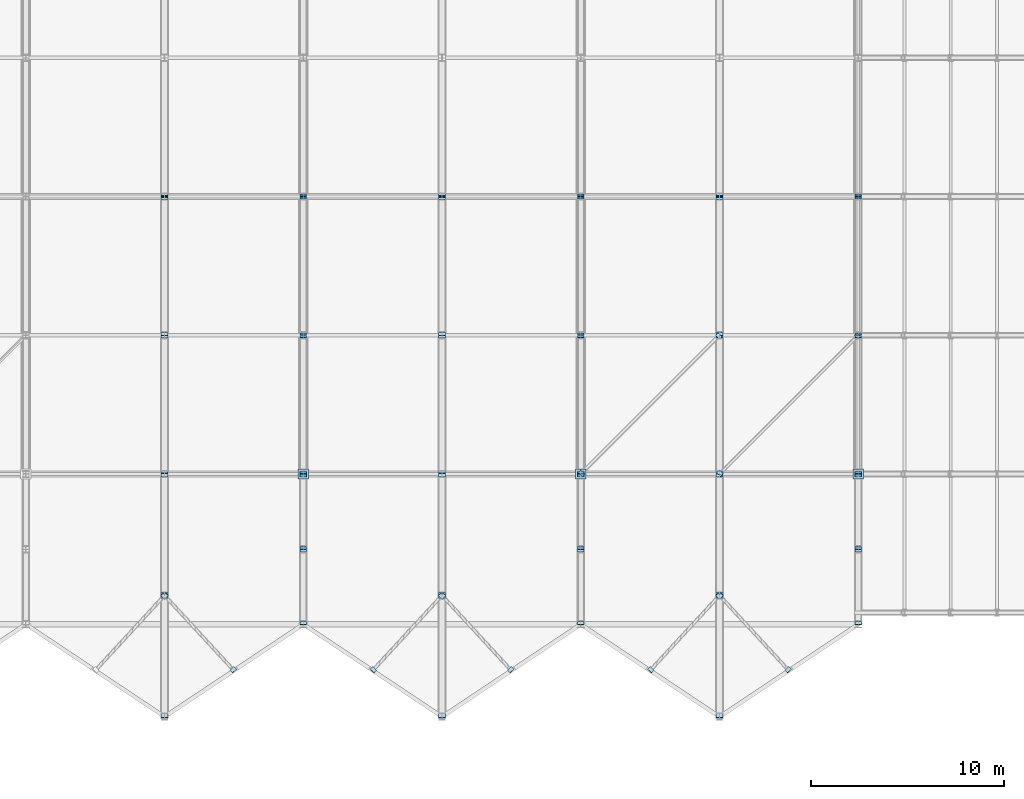
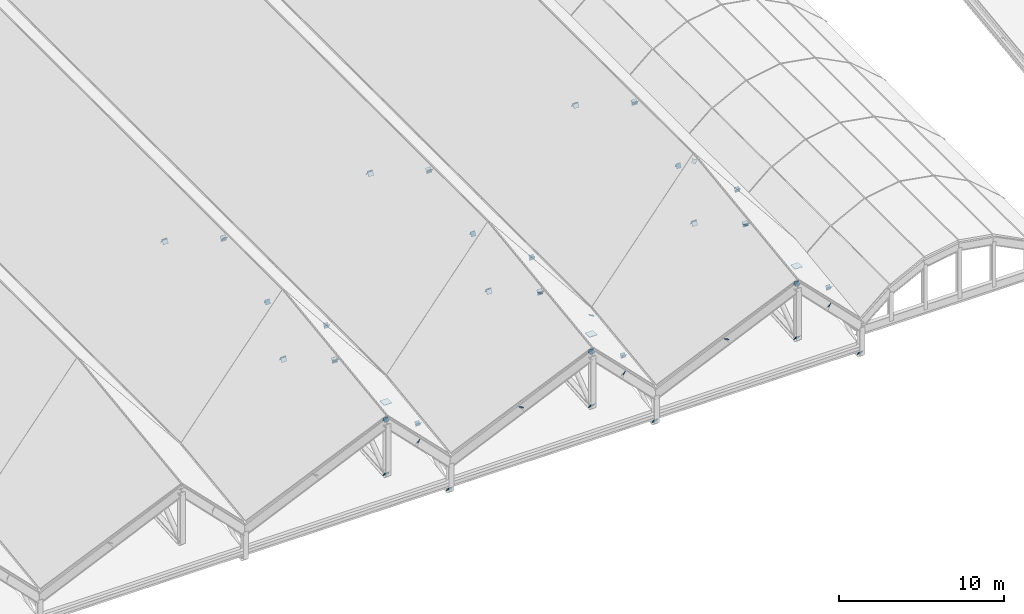
# One storey, part 48 of 60: 72 plates.
"""IFC4 building model written with IfcOpenShell, lengths in metres."""

from ifc_helpers import new_model, si_unit, direction, frame, origin, origin_2d, place, context, subcontext, project, spatial, rectangle, extrude, material, layer, layer_set, type_object, element, save


model = new_model("IFC4")

# Units and contexts
model_context = context("Model", 3, precision=1e-05, world=origin(), true_north=direction((0.0, 1.0)))
body_context = subcontext(model_context, "Body", "Model", "MODEL_VIEW")
ifc_project = project(units=[si_unit("LENGTHUNIT", "METRE"), si_unit("AREAUNIT", "SQUARE_METRE"), si_unit("VOLUMEUNIT", "CUBIC_METRE"), si_unit("PLANEANGLEUNIT", "RADIAN"), si_unit("MASSUNIT", "GRAM", prefix="KILO")], contexts=[model_context])

# Site, building, storey
site_placement = place(None, origin())
site = spatial("IfcSite", under=ifc_project, at=site_placement, CompositionType="ELEMENT")
building_placement = place(site_placement, origin())
building = spatial("IfcBuilding", under=site, at=building_placement, Name="Vesperath Aquatics Centre", CompositionType="ELEMENT")
storey_placement = place(building_placement, frame((0.0, 0.0, 27.60009765625)))
storey = spatial("IfcBuildingStorey", under=building, at=storey_placement, Name="RF", CompositionType="ELEMENT", Elevation=27.60009765625)

# Plates
ifc_material = material(Name="Steel Q355D", Category="steel")
ifc_layer_1 = layer(ifc_material, 0.02001953125)
ifc_layer_set_1 = layer_set([ifc_layer_1], Name="Steel Q355D")
plate_type_1 = type_object("IfcPlateType", Name="PT-TN01", PredefinedType="SHEET", material=ifc_layer_set_1)
for number, where, z_axis, x_axis, name in (
    (1, (64.800048828125, 1.84814453125, -6.288818359375), (0.0, 0.802493774826, 0.59666049087), (-1.0, 0.0, 0.0), "Truss Node Cap Plate TN01"),
    (2, (64.800048828125, 8.035888671875, -1.688232421875), (0.0, 0.802493774826, 0.59666049087), (-1.0, 0.0, 0.0), "Truss Node Cap Plate TN01"),
    (3, (64.800048828125, 8.151611328125, -1.67138671875), (0.0, 0.858729222984, -0.512429625991), (-1.0, 0.0, 0.0), "Truss Node Cap Plate TN01"),
    (4, (64.800048828125, 14.331298828125, -5.359130859375), (0.0, 0.858729222984, -0.512429625991), (-1.0, 0.0, 0.0), "Truss Node Cap Plate TN01"),
    (5, (64.800048828125, 14.450439453125, -5.36767578125), (0.0, 0.842696259913, 0.538389276944), (-1.0, 0.0, 0.0), "Truss Node Cap Plate TN01"),
    (6, (64.800048828125, 21.532470703125, -0.84326171875), (0.0, 0.842696259913, 0.538389276944), (-1.0, 0.0, 0.0), "Truss Node Cap Plate TN01"),
    (7, (64.800048828125, 21.650390625, -0.83251953125), (0.0, 0.842696259913, -0.538389276944), (-1.0, 0.0, 0.0), "Truss Node Cap Plate TN01"),
    (8, (64.800048828125, 28.732421875, -5.35693359375), (0.0, 0.842696259913, -0.538389276944), (-1.0, 0.0, 0.0), "Truss Node Cap Plate TN01"),
    (9, (64.800048828125, 28.850341796875, -5.36767578125), (0.0, 0.842696259913, 0.538389276944), (-1.0, 0.0, 0.0), "Truss Node Cap Plate TN01"),
    (10, (79.199951171875, 1.84814453125, -6.288818359375), (0.0, 0.802493774826, 0.59666049087), (-1.0, 0.0, 0.0), "Truss Node Cap Plate TN01"),
    (11, (79.199951171875, 8.035888671875, -1.688232421875), (0.0, 0.802493774826, 0.59666049087), (-1.0, 0.0, 0.0), "Truss Node Cap Plate TN01"),
    (12, (79.199951171875, 8.151611328125, -1.67138671875), (0.0, 0.858729222984, -0.512429625991), (-1.0, 0.0, 0.0), "Truss Node Cap Plate TN01"),
    (13, (79.199951171875, 14.331298828125, -5.359130859375), (0.0, 0.858729222984, -0.512429625991), (-1.0, 0.0, 0.0), "Truss Node Cap Plate TN01"),
    (14, (79.199951171875, 14.450439453125, -5.36767578125), (0.0, 0.842696259913, 0.538389276944), (-1.0, 0.0, 0.0), "Truss Node Cap Plate TN01"),
    (15, (79.199951171875, 21.532470703125, -0.84326171875), (0.0, 0.842696259913, 0.538389276944), (-1.0, 0.0, 0.0), "Truss Node Cap Plate TN01"),
    (16, (79.199951171875, 21.650390625, -0.83251953125), (0.0, 0.842696259913, -0.538389276944), (-1.0, 0.0, 0.0), "Truss Node Cap Plate TN01"),
    (17, (79.199951171875, 28.732421875, -5.35693359375), (0.0, 0.842696259913, -0.538389276944), (-1.0, 0.0, 0.0), "Truss Node Cap Plate TN01"),
    (18, (79.199951171875, 28.850341796875, -5.36767578125), (0.0, 0.842696259913, 0.538389276944), (-1.0, 0.0, 0.0), "Truss Node Cap Plate TN01"),
    (19, (93.60009765625, 1.84814453125, -6.288818359375), (0.0, 0.802493774826, 0.59666049087), (-1.0, 0.0, 0.0), "Truss Node Cap Plate TN01"),
    (20, (93.60009765625, 8.035888671875, -1.688232421875), (0.0, 0.802493774826, 0.59666049087), (-1.0, 0.0, 0.0), "Truss Node Cap Plate TN01"),
    (21, (93.60009765625, 8.151611328125, -1.67138671875), (0.0, 0.858729222984, -0.512429625991), (-1.0, 0.0, 0.0), "Truss Node Cap Plate TN01"),
    (22, (93.60009765625, 14.331298828125, -5.359130859375), (0.0, 0.858729222984, -0.512429625991), (-1.0, 0.0, 0.0), "Truss Node Cap Plate TN01"),
    (23, (93.60009765625, 14.450439453125, -5.36767578125), (0.0, 0.842696259913, 0.538389276944), (-1.0, 0.0, 0.0), "Truss Node Cap Plate TN01"),
    (24, (93.60009765625, 21.532470703125, -0.84326171875), (0.0, 0.842696259913, 0.538389276944), (-1.0, 0.0, 0.0), "Truss Node Cap Plate TN01"),
    (25, (93.60009765625, 21.650390625, -0.83251953125), (0.0, 0.842696259913, -0.538389276944), (-1.0, 0.0, 0.0), "Truss Node Cap Plate TN01"),
    (26, (93.60009765625, 28.732421875, -5.35693359375), (0.0, 0.842696259913, -0.538389276944), (-1.0, 0.0, 0.0), "Truss Node Cap Plate TN01"),
    (27, (93.60009765625, 28.850341796875, -5.36767578125), (0.0, 0.842696259913, 0.538389276944), (-1.0, 0.0, 0.0), "Truss Node Cap Plate TN01"),
):
    element("IfcPlate", number, at=place(storey_placement, frame(where, z_axis=z_axis, x_axis=x_axis)), inside=storey, type_object=plate_type_1, Name=name, PredefinedType="SHEET", context=body_context, shape_type="SweptSolid", body=[
        extrude(rectangle(XDim=0.360107421875, YDim=0.360107421875, at=origin_2d()), origin(), (0.0, 0.0, 1.0), 0.02001953125),
    ])
ifc_layer_2 = layer(ifc_material, 0.02001953125)
ifc_layer_set_2 = layer_set([ifc_layer_2], Name="Steel Q355D")
plate_type_2 = type_object("IfcPlateType", Name="PT-TN02", PredefinedType="SHEET", material=ifc_layer_set_2)
for number, where, z_axis, x_axis, name in (
    (28, (72.0, 6.650390625, -12.83544921875), (0.0, 0.837176029161, 0.546933539105), (-1.0, 0.0, 0.0), "Truss Node Cap Plate TN02"),
    (29, (72.0, 10.43310546875, -10.3642578125), (0.0, 0.837176029161, 0.546933539105), (-1.0, 0.0, 0.0), "Truss Node Cap Plate TN02"),
    (30, (72.0, 10.552978515625, -10.348876953125), (0.0, 0.882390516938, -0.470517773967), (-1.0, 0.0, 0.0), "Truss Node Cap Plate TN02"),
    (31, (72.0, 14.329345703125, -12.362548828125), (0.0, 0.882390516938, -0.470517773967), (-1.0, 0.0, 0.0), "Truss Node Cap Plate TN02"),
    (32, (72.0, 14.456298828125, -12.379638671875), (0.0, 0.940553899656, 0.339644463876), (-1.0, 0.0, 0.0), "Truss Node Cap Plate TN02"),
    (33, (72.0, 21.524658203125, -9.827392578125), (0.0, 0.940553899656, 0.339644463876), (-1.0, 0.0, 0.0), "Truss Node Cap Plate TN02"),
    (34, (72.0, 21.65625, -9.820556640625), (0.0, 0.940553899656, -0.339644463876), (-1.0, 0.0, 0.0), "Truss Node Cap Plate TN02"),
    (35, (72.0, 28.724609375, -12.372802734375), (0.0, 0.940553899656, -0.339644463876), (-1.0, 0.0, 0.0), "Truss Node Cap Plate TN02"),
    (36, (72.0, 28.856201171875, -12.379638671875), (0.0, 0.940553899656, 0.339644463876), (-1.0, 0.0, 0.0), "Truss Node Cap Plate TN02"),
    (37, (86.39990234375, 6.650390625, -12.83544921875), (0.0, 0.837176029161, 0.546933539105), (-1.0, 0.0, 0.0), "Truss Node Cap Plate TN02"),
    (38, (86.39990234375, 10.43310546875, -10.3642578125), (0.0, 0.837176029161, 0.546933539105), (-1.0, 0.0, 0.0), "Truss Node Cap Plate TN02"),
    (39, (86.39990234375, 10.552978515625, -10.348876953125), (0.0, 0.882390516938, -0.470517773967), (-1.0, 0.0, 0.0), "Truss Node Cap Plate TN02"),
    (40, (86.39990234375, 14.329345703125, -12.362548828125), (0.0, 0.882390516938, -0.470517773967), (-1.0, 0.0, 0.0), "Truss Node Cap Plate TN02"),
    (41, (86.39990234375, 14.456298828125, -12.379638671875), (0.0, 0.940553899656, 0.339644463876), (-1.0, 0.0, 0.0), "Truss Node Cap Plate TN02"),
    (42, (86.39990234375, 21.524658203125, -9.827392578125), (0.0, 0.940553899656, 0.339644463876), (-1.0, 0.0, 0.0), "Truss Node Cap Plate TN02"),
    (43, (86.39990234375, 21.65625, -9.820556640625), (0.0, 0.940553899656, -0.339644463876), (-1.0, 0.0, 0.0), "Truss Node Cap Plate TN02"),
    (44, (86.39990234375, 28.724609375, -12.372802734375), (0.0, 0.940553899656, -0.339644463876), (-1.0, 0.0, 0.0), "Truss Node Cap Plate TN02"),
    (45, (86.39990234375, 28.856201171875, -12.379638671875), (0.0, 0.940553899656, 0.339644463876), (-1.0, 0.0, 0.0), "Truss Node Cap Plate TN02"),
    (46, (100.800048828125, 6.650390625, -12.83544921875), (0.0, 0.837176029161, 0.546933539105), (-1.0, 0.0, 0.0), "Truss Node Cap Plate TN02"),
    (47, (100.800048828125, 10.43310546875, -10.3642578125), (0.0, 0.837176029161, 0.546933539105), (-1.0, 0.0, 0.0), "Truss Node Cap Plate TN02"),
    (48, (100.800048828125, 10.552978515625, -10.348876953125), (0.0, 0.882390516938, -0.470517773967), (-1.0, 0.0, 0.0), "Truss Node Cap Plate TN02"),
    (49, (100.800048828125, 14.329345703125, -12.362548828125), (0.0, 0.882390516938, -0.470517773967), (-1.0, 0.0, 0.0), "Truss Node Cap Plate TN02"),
    (50, (100.800048828125, 14.456298828125, -12.379638671875), (0.0, 0.940553899656, 0.339644463876), (-1.0, 0.0, 0.0), "Truss Node Cap Plate TN02"),
    (51, (100.800048828125, 21.524658203125, -9.827392578125), (0.0, 0.940553899656, 0.339644463876), (-1.0, 0.0, 0.0), "Truss Node Cap Plate TN02"),
    (52, (100.800048828125, 21.65625, -9.820556640625), (0.0, 0.940553899656, -0.339644463876), (-1.0, 0.0, 0.0), "Truss Node Cap Plate TN02"),
    (53, (100.800048828125, 28.724609375, -12.372802734375), (0.0, 0.940553899656, -0.339644463876), (-1.0, 0.0, 0.0), "Truss Node Cap Plate TN02"),
    (54, (100.800048828125, 28.856201171875, -12.379638671875), (0.0, 0.940553899656, 0.339644463876), (-1.0, 0.0, 0.0), "Truss Node Cap Plate TN02"),
):
    element("IfcPlate", number, at=place(storey_placement, frame(where, z_axis=z_axis, x_axis=x_axis)), inside=storey, type_object=plate_type_2, Name=name, PredefinedType="SHEET", context=body_context, shape_type="SweptSolid", body=[
        extrude(rectangle(XDim=0.320068359375, YDim=0.320068359375, at=origin_2d()), origin(), (0.0, 0.0, 1.0), 0.02001953125),
    ])
ifc_layer_3 = layer(ifc_material, 0.01806640625)
ifc_layer_set_3 = layer_set([ifc_layer_3], Name="Steel Q355D")
plate_type_3 = type_object("IfcPlateType", Name="PT-TN03", PredefinedType="SHEET", material=ifc_layer_set_3)
for number, where, z_axis, x_axis, name in (
    (55, (64.760498046875, 8.05712890625, -1.695556640625), (0.492765186153, 0.533828951166, 0.687174739213), (-0.734803444478, 0.678280102894, 2.61e-10), "Truss Node Cap Plate TN03"),
    (56, (68.369384765625, 4.23291015625, -6.618408203125), (-0.492765186153, 0.533828951166, 0.687174739213), (-0.734803444478, -0.678280102894, -2.61e-10), "Truss Node Cap Plate TN03"),
    (57, (64.83935546875, 8.05712890625, -1.695556640625), (-0.492765186153, 0.533828951166, 0.687174739213), (-0.734803444478, -0.678280102894, -2.61e-10), "Truss Node Cap Plate TN03"),
    (58, (75.630615234375, 4.23291015625, -6.618408203125), (0.492765186153, 0.533828951166, 0.687174739213), (-0.734803444478, 0.678280102894, 2.61e-10), "Truss Node Cap Plate TN03"),
    (59, (79.16064453125, 8.05712890625, -1.695556640625), (0.492765186153, 0.533828951166, 0.687174739213), (-0.734803444478, 0.678280102894, 2.61e-10), "Truss Node Cap Plate TN03"),
    (60, (82.769287109375, 4.23291015625, -6.618408203125), (-0.492765186153, 0.533828951166, 0.687174739213), (-0.734803444478, -0.678280102894, -2.61e-10), "Truss Node Cap Plate TN03"),
    (61, (79.239501953125, 8.05712890625, -1.695556640625), (-0.492765186153, 0.533828951166, 0.687174739213), (-0.734803444478, -0.678280102894, -2.61e-10), "Truss Node Cap Plate TN03"),
    (62, (90.030517578125, 4.23291015625, -6.618408203125), (0.492765186153, 0.533828951166, 0.687174739213), (-0.734803444478, 0.678280102894, 2.61e-10), "Truss Node Cap Plate TN03"),
    (63, (93.560546875, 8.05712890625, -1.695556640625), (0.492765186153, 0.533828951166, 0.687174739213), (-0.734803444478, 0.678280102894, 2.61e-10), "Truss Node Cap Plate TN03"),
    (64, (86.4326171875, 14.4326171875, -9.75927734375), (0.529812942738, 0.529812942738, 0.662266178673), (-0.707106781187, 0.707106781187, 0.0), "Truss Node Cap Plate TN03"),
    (65, (93.5576171875, 21.5576171875, -0.853271484375), (0.529812942738, 0.529812942738, 0.662266178673), (-0.707106781187, 0.707106781187, 0.0), "Truss Node Cap Plate TN03"),
    (66, (97.16943359375, 4.23291015625, -6.618408203125), (-0.492765186153, 0.533828951166, 0.687174739213), (-0.734803444478, -0.678280102894, -2.61e-10), "Truss Node Cap Plate TN03"),
    (67, (93.639404296875, 8.05712890625, -1.695556640625), (-0.492765186153, 0.533828951166, 0.687174739213), (-0.734803444478, -0.678280102894, -2.61e-10), "Truss Node Cap Plate TN03"),
    (68, (93.6328125, 14.4326171875, -0.841064453125), (0.529812942738, 0.529812942738, -0.662266178673), (-0.707106781187, 0.707106781187, 0.0), "Truss Node Cap Plate TN03"),
    (69, (100.757568359375, 21.5576171875, -9.7470703125), (0.529812942738, 0.529812942738, -0.662266178673), (-0.707106781187, 0.707106781187, 0.0), "Truss Node Cap Plate TN03"),
):
    element("IfcPlate", number, at=place(storey_placement, frame(where, z_axis=z_axis, x_axis=x_axis)), inside=storey, type_object=plate_type_3, Name=name, PredefinedType="SHEET", context=body_context, shape_type="SweptSolid", body=[
        extrude(rectangle(XDim=0.280029296875, YDim=0.280029296875, at=origin_2d()), origin(), (0.0, 0.0, 1.0), 0.01806640625),
    ])
ifc_layer_4 = layer(ifc_material, 0.028076171875)
ifc_layer_set_4 = layer_set([ifc_layer_4], Name="Steel Q355D")
plate_type_4 = type_object("IfcPlateType", Name="PT-TN05", PredefinedType="SHEET", material=ifc_layer_set_4)
for number, where, z_axis, x_axis, name in (
    (70, (72.0, 14.39990234375, -11.1142578125), (0.0, 0.0, 1.0), (0.0, 1.0, 0.0), "Truss Support Gusset Plate TN05 G11/C"),
    (71, (86.39990234375, 14.39990234375, -11.1142578125), (0.0, 0.0, 1.0), (0.0, 1.0, 0.0), "Truss Support Gusset Plate TN05 G13/C"),
    (72, (100.800048828125, 14.39990234375, -11.1142578125), (0.0, 0.0, 1.0), (0.0, 1.0, 0.0), "Truss Support Gusset Plate TN05 G15/C"),
):
    element("IfcPlate", number, at=place(storey_placement, frame(where, z_axis=z_axis, x_axis=x_axis)), inside=storey, type_object=plate_type_4, Name=name, PredefinedType="SHEET", context=body_context, shape_type="SweptSolid", body=[
        extrude(rectangle(XDim=0.5400390625, YDim=0.5400390625, at=origin_2d()), origin(), (0.0, 0.0, 1.0), 0.028076171875),
    ])

save(model, "model.ifc")
